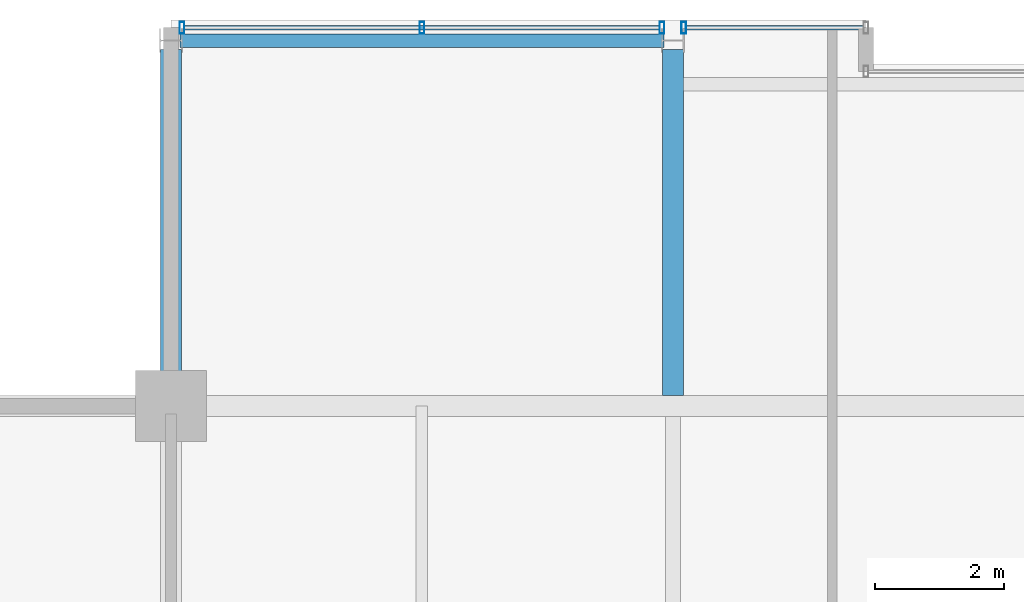
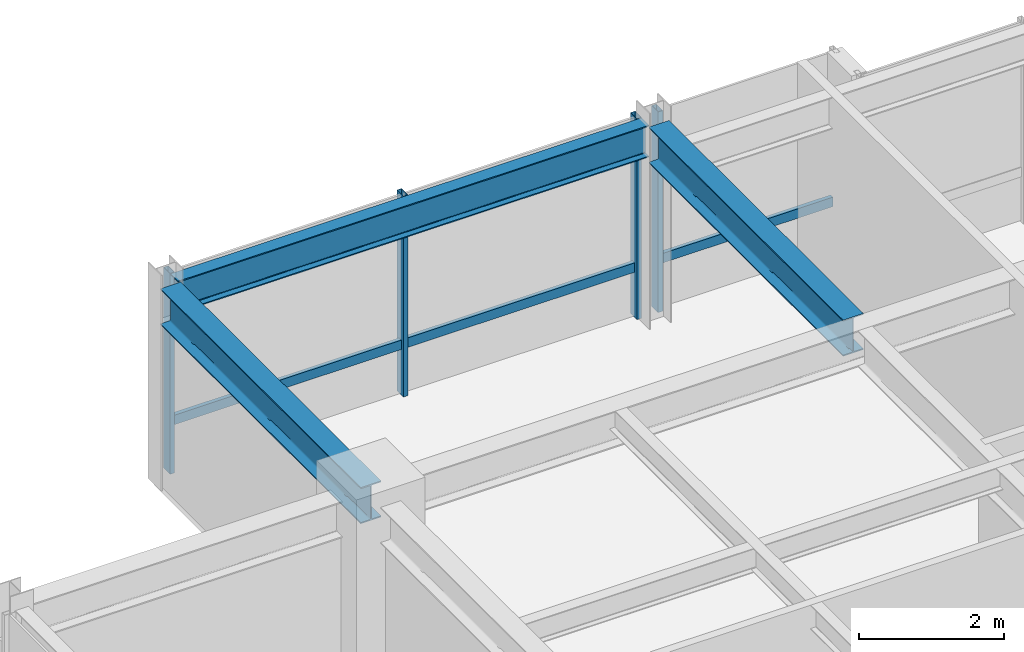
# One storey, part 21 of 34: 6 members, 3 beams, 2 elements without a shape of their own.
"""IFC4 building model written with IfcOpenShell, lengths in metres."""

from ifc_helpers import new_model, si_unit, direction, frame, origin, origin_2d, place, context, subcontext, project, spatial, hollow_rectangle, i_section, extrude, material, layer, layer_set, material_profile, profile_set, type_object, element, aggregate, save


model = new_model("IFC4")

# Units and contexts
model_context = context("Model", 3, precision=1e-05, world=origin(), true_north=direction((0.0, 1.0)))
body_context = subcontext(model_context, "Body", "Model", "MODEL_VIEW")
ifc_project = project(units=[si_unit("LENGTHUNIT", "METRE"), si_unit("AREAUNIT", "SQUARE_METRE"), si_unit("VOLUMEUNIT", "CUBIC_METRE"), si_unit("PLANEANGLEUNIT", "RADIAN"), si_unit("MASSUNIT", "GRAM", prefix="KILO")], contexts=[model_context])

# Site, building, storey
site_placement = place(None, origin())
site = spatial("IfcSite", under=ifc_project, at=site_placement, CompositionType="ELEMENT")
building_placement = place(site_placement, origin())
building = spatial("IfcBuilding", under=site, at=building_placement, Name="Drelvath Grand Hotel", CompositionType="ELEMENT")
storey_placement = place(building_placement, frame((0.0, 0.0, 286.89990234375)))
storey = spatial("IfcBuildingStorey", under=building, at=storey_placement, Name="L75", CompositionType="ELEMENT", Elevation=286.89990234375)

# Curtain wall, member
ifc_material_1 = material(Name="Platinum-Mist Anodised Aluminium Frame", Category="aluminium")
ifc_layer = layer(ifc_material_1, 0.199951171875)
ifc_layer_set = layer_set([ifc_layer], Name="Platinum-Mist Anodised Aluminium Frame")
curtain_wall_type = type_object("IfcCurtainWallType", Name="Stick Curtain Wall CW-05 Platinum Mist High-Rise", PredefinedType="NOTDEFINED", material=ifc_layer_set)
curtain_wall_1_placement = place(storey_placement, origin())
curtain_wall_1 = element("IfcCurtainWall", 1, at=curtain_wall_1_placement, inside=storey, type_object=curtain_wall_type, Name="L75 CW-05 Curtain Wall CW05-L75-NW1", PredefinedType="NOTDEFINED")
ifc_material_profile_1 = material_profile(ifc_material_1, hollow_rectangle(XDim=0.06494140625, YDim=0.159912109375, WallThickness=0.00390625, at=origin_2d()), Name="HSS160X65X4")
ifc_profile_set_1 = profile_set([ifc_material_profile_1], Name="Platinum-Mist Anodised Aluminium Frame")
member_type_1 = type_object("IfcMemberType", Name="Curtain Wall Horizontal Transom CW-05 HSS160X65X4", PredefinedType="USERDEFINED", material=ifc_profile_set_1)
member_1_placement = place(storey_placement, frame((-15.989990234375, 49.080078125, 0.84765625), z_axis=(1.0, 0.0, 0.0), x_axis=(0.0, 1.0, 0.0)))
member_1 = element("IfcMember", 2, at=member_1_placement, type_object=member_type_1, Name="CW05-L75-NW1 Sill Transom", ObjectType="TRANSOM", PredefinedType="USERDEFINED", context=body_context, shape_type="SweptSolid", body=[
    extrude(hollow_rectangle(XDim=0.06494140625, YDim=0.159912109375, WallThickness=0.00390625, at=origin_2d()), origin(), (0.0, 0.0, 1.0), 7.3798828125),
])

curtain_wall_2_placement = place(storey_placement, origin())
curtain_wall_2 = element("IfcCurtainWall", 3, at=curtain_wall_2_placement, inside=storey, type_object=curtain_wall_type, Name="L75 CW-05 Curtain Wall CW05-L75-NW2", PredefinedType="NOTDEFINED")
member_2_placement = place(storey_placement, frame((-8.18994140625, 49.080078125, 0.84765625), z_axis=(1.0, 0.0, 0.0), x_axis=(0.0, 1.0, 0.0)))
member_2 = element("IfcMember", 4, at=member_2_placement, type_object=member_type_1, Name="CW05-L75-NW2 Sill Transom", ObjectType="TRANSOM", PredefinedType="USERDEFINED", context=body_context, shape_type="SweptSolid", body=[
    extrude(hollow_rectangle(XDim=0.06494140625, YDim=0.159912109375, WallThickness=0.00390625, at=origin_2d()), origin(), (0.0, 0.0, 1.0), 2.75),
])

# Member
ifc_material_profile_2 = material_profile(ifc_material_1, hollow_rectangle(XDim=0.074951171875, YDim=0.179931640625, WallThickness=0.0048828125, at=origin_2d()), Name="HSS180X75X5")
ifc_profile_set_2 = profile_set([ifc_material_profile_2], Name="Platinum-Mist Anodised Aluminium Frame")
member_type_2 = type_object("IfcMemberType", Name="Curtain Wall Vertical Mullion CW-05 HSS180X75X5", PredefinedType="MULLION", material=ifc_profile_set_2)
member_3_placement = place(storey_placement, frame((-16.02978515625, 49.080078125, 0.0), z_axis=(0.0, 0.0, 1.0), x_axis=(1.0, 0.0, 0.0)))
member_3 = element("IfcMember", 5, at=member_3_placement, type_object=member_type_2, Name="CW05-L75-NW1 Mullion 1", PredefinedType="MULLION", context=body_context, shape_type="SweptSolid", body=[
    extrude(hollow_rectangle(XDim=0.074951171875, YDim=0.179931640625, WallThickness=0.0048828125, at=origin_2d()), origin(), (0.0, 0.0, 1.0), 3.39013671875),
])

member_4_placement = place(storey_placement, frame((-12.300048828125, 49.080078125, 0.0), z_axis=(0.0, 0.0, 1.0), x_axis=(1.0, 0.0, 0.0)))
member_4 = element("IfcMember", 6, at=member_4_placement, type_object=member_type_2, Name="CW05-L75-NW1 Mullion 2", PredefinedType="MULLION", context=body_context, shape_type="SweptSolid", body=[
    extrude(hollow_rectangle(XDim=0.074951171875, YDim=0.179931640625, WallThickness=0.0048828125, at=origin_2d()), origin(), (0.0, 0.0, 1.0), 3.39013671875),
])

member_5_placement = place(storey_placement, frame((-8.570068359375, 49.080078125, 0.0), z_axis=(0.0, 0.0, 1.0), x_axis=(1.0, 0.0, 0.0)))
member_5 = element("IfcMember", 7, at=member_5_placement, type_object=member_type_2, Name="CW05-L75-NW1 Mullion 3", PredefinedType="MULLION", context=body_context, shape_type="SweptSolid", body=[
    extrude(hollow_rectangle(XDim=0.074951171875, YDim=0.179931640625, WallThickness=0.0048828125, at=origin_2d()), origin(), (0.0, 0.0, 1.0), 3.39013671875),
])

aggregate(curtain_wall_1, [member_3, member_4, member_5, member_1])

member_6_placement = place(storey_placement, frame((-8.22998046875, 49.080078125, 0.0), z_axis=(0.0, 0.0, 1.0), x_axis=(1.0, 0.0, 0.0)))
member_6 = element("IfcMember", 8, at=member_6_placement, type_object=member_type_2, Name="CW05-L75-NW2 Mullion 1", PredefinedType="MULLION", context=body_context, shape_type="SweptSolid", body=[
    extrude(hollow_rectangle(XDim=0.074951171875, YDim=0.179931640625, WallThickness=0.0048828125, at=origin_2d()), origin(), (0.0, 0.0, 1.0), 3.39013671875),
])

aggregate(curtain_wall_2, [member_6, member_2])

# Beams
ifc_material_2 = material(Name="Steel ASTM A992 Gr 50", Category="steel")
ifc_material_profile_3 = material_profile(ifc_material_2, i_section(OverallWidth=0.210205078125, OverallDepth=0.53662109375, WebThickness=0.010986328125, FlangeThickness=0.017333984375, FilletRadius=0.01806640625, at=origin_2d()), Name="W21X68")
ifc_profile_set_3 = profile_set([ifc_material_profile_3], Name="Steel ASTM A992 Gr 50")
beam_type_1 = type_object("IfcBeamType", Name="Perimeter Spandrel Beam W21X68", PredefinedType="SPANDREL", material=ifc_profile_set_3)
beam_1_placement = place(storey_placement, frame((-16.06005859375, 48.8798828125, 3.121826171875), z_axis=(1.0, 0.0, 0.0), x_axis=(0.0, 1.0, 0.0)))
element("IfcBeam", 9, at=beam_1_placement, inside=storey, type_object=beam_type_1, Name="L75 Spandrel North W", PredefinedType="SPANDREL", context=body_context, shape_type="SweptSolid", body=[
    extrude(i_section(OverallWidth=0.210205078125, OverallDepth=0.53662109375, WebThickness=0.010986328125, FlangeThickness=0.017333984375, FilletRadius=0.01806640625, at=origin_2d()), origin(), (0.0, 0.0, 1.0), 7.52001953125),
])
ifc_material_profile_4 = material_profile(ifc_material_2, i_section(OverallWidth=0.323974609375, OverallDepth=0.611083984375, WebThickness=0.0126953125, FlangeThickness=0.01904296875, FilletRadius=0.02197265625, at=origin_2d()), Name="W24X104")
ifc_profile_set_4 = profile_set([ifc_material_profile_4], Name="Steel ASTM A992 Gr 50")
beam_type_2 = type_object("IfcBeamType", Name="Primary Floor Girder W24X104", PredefinedType="BEAM", material=ifc_profile_set_4)
beam_2_placement = place(storey_placement, frame((-16.199951171875, 43.199951171875, 3.084716796875), z_axis=(0.0, 1.0, 0.0), x_axis=(-1.0, 0.0, 0.0)))
element("IfcBeam", 10, at=beam_2_placement, inside=storey, type_object=beam_type_2, Name="L75 North Grid Girder 3", PredefinedType="BEAM", context=body_context, shape_type="SweptSolid", body=[
    extrude(i_section(OverallWidth=0.323974609375, OverallDepth=0.611083984375, WebThickness=0.0126953125, FlangeThickness=0.01904296875, FilletRadius=0.02197265625, at=origin_2d()), origin(), (0.0, 0.0, 1.0), 5.5400390625),
])
beam_3_placement = place(storey_placement, frame((-8.39990234375, 43.362060546875, 3.084716796875), z_axis=(0.0, 1.0, 0.0), x_axis=(-1.0, 0.0, 0.0)))
element("IfcBeam", 11, at=beam_3_placement, inside=storey, type_object=beam_type_2, Name="L75 North Wing Girder 4", PredefinedType="BEAM", context=body_context, shape_type="SweptSolid", body=[
    extrude(i_section(OverallWidth=0.323974609375, OverallDepth=0.611083984375, WebThickness=0.0126953125, FlangeThickness=0.01904296875, FilletRadius=0.02197265625, at=origin_2d()), origin(), (0.0, 0.0, 1.0), 5.3779296875),
])

save(model, "model.ifc")
